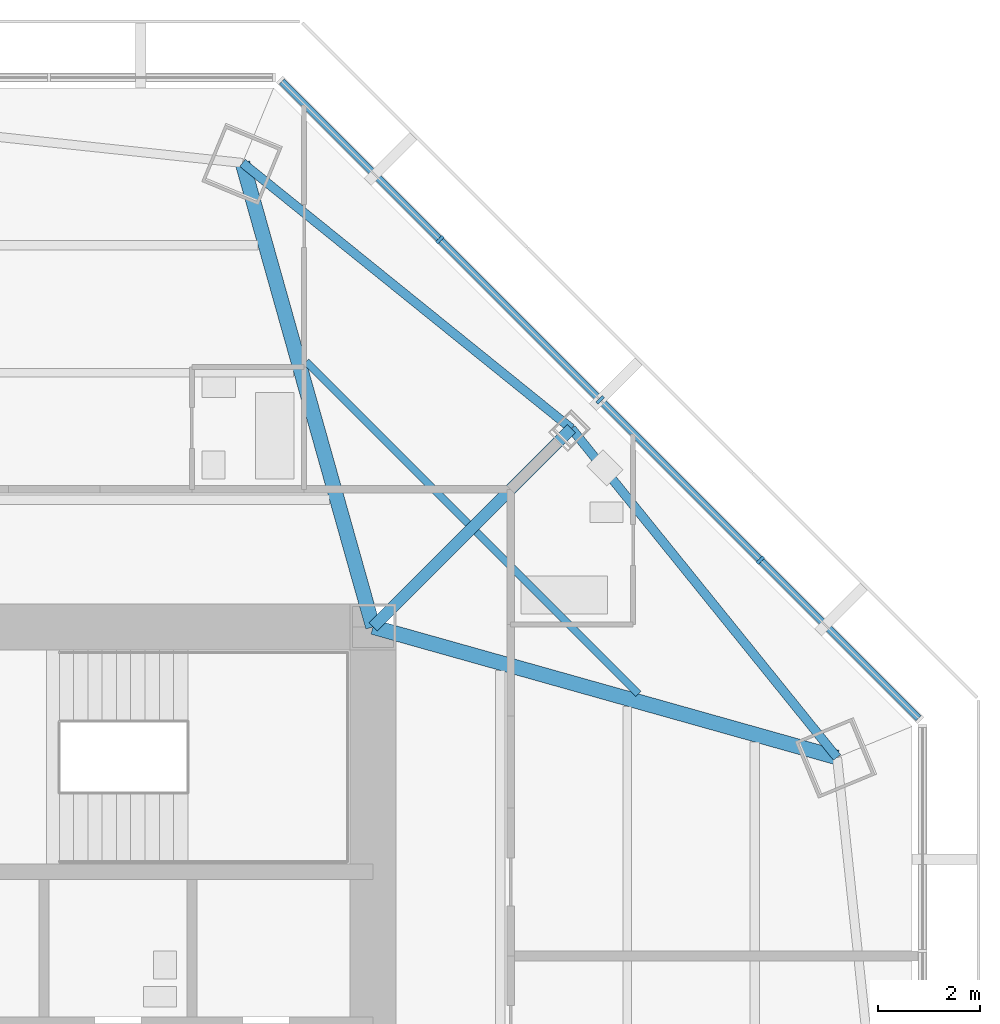
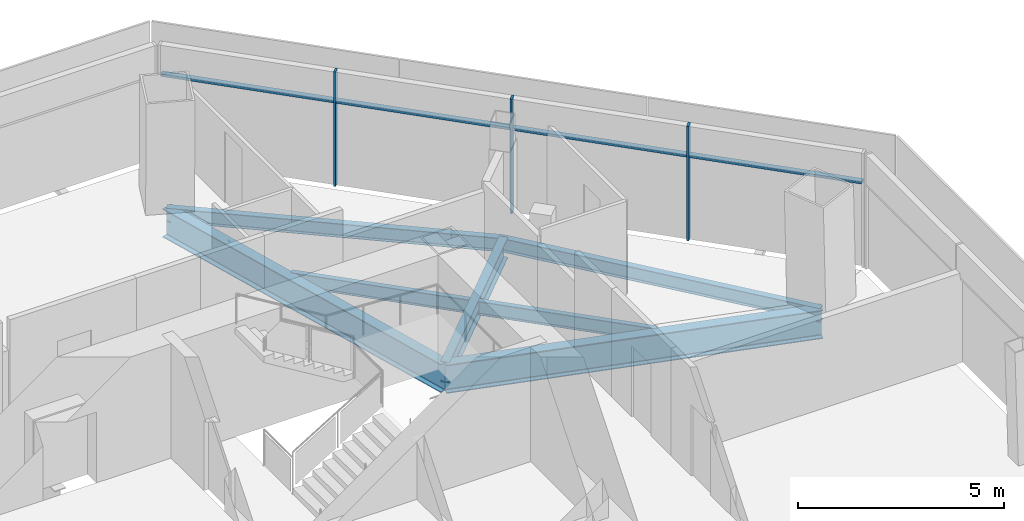
# One storey, part 6 of 15: 7 beams, 7 members, 1 element without a shape of its own.
"""IFC4 building model written with IfcOpenShell, lengths in metres."""

from ifc_helpers import new_model, si_unit, direction, frame, origin, origin_2d, place, context, subcontext, project, spatial, rectangle, i_section, extrude, source, transform, mapped, material, material_profile, profile_set, type_object, type_shapes, element, aggregate, save


model = new_model("IFC4")

# Units and contexts
model_context = context("Model", 3, precision=1e-05, world=origin(), true_north=direction((0.0, 1.0)))
body_context = subcontext(model_context, "Body", "Model", "MODEL_VIEW")
ifc_project = project(units=[si_unit("LENGTHUNIT", "METRE"), si_unit("AREAUNIT", "SQUARE_METRE"), si_unit("VOLUMEUNIT", "CUBIC_METRE"), si_unit("PLANEANGLEUNIT", "RADIAN"), si_unit("MASSUNIT", "GRAM", prefix="KILO")], contexts=[model_context])

# Site, building, storey
site_placement = place(None, origin())
site = spatial("IfcSite", under=ifc_project, at=site_placement, CompositionType="ELEMENT")
building_placement = place(site_placement, origin())
building = spatial("IfcBuilding", under=site, at=building_placement, Name="Mashrafa Tower", CompositionType="ELEMENT")
storey_placement = place(building_placement, frame((0.0, 0.0, 227.800048828125)))
storey = spatial("IfcBuildingStorey", under=building, at=storey_placement, Name="L53", CompositionType="ELEMENT", Elevation=227.800048828125)

# Beams
ifc_material_1 = material(Name="Steel ASTM A992", Category="steel")
ifc_material_profile_1 = material_profile(ifc_material_1, i_section(OverallWidth=0.140380859375, OverallDepth=0.40380859375, WebThickness=0.007080078125, FlangeThickness=0.01123046875, FilletRadius=0.01025390625, at=origin_2d()), Name="W16X31")
ifc_profile_set_1 = profile_set([ifc_material_profile_1], Name="Steel ASTM A992")
beam_type_1 = type_object("IfcBeamType", Name="Beam W16X31", PredefinedType="BEAM", material=ifc_profile_set_1)
for number, where, z_axis, x_axis, name in (
    (1, (9.4892578125, 16.001708984375, -0.402099609375), (0.707106781187, -0.707106781187, 0.0), (0.707106781187, 0.707106781187, 0.0), "Floor beam L53 021"),
    (2, (12.826171875, 12.664794921875, -0.402099609375), (0.707106781187, -0.707106781187, 0.0), (0.707106781187, 0.707106781187, 0.0), "Floor beam L53 025"),
):
    element("IfcBeam", number, at=place(storey_placement, frame(where, z_axis=z_axis, x_axis=x_axis)), inside=storey, type_object=beam_type_1, Name=name, PredefinedType="BEAM", context=body_context, shape_type="SweptSolid", body=[
        extrude(i_section(OverallWidth=0.140380859375, OverallDepth=0.40380859375, WebThickness=0.007080078125, FlangeThickness=0.01123046875, FilletRadius=0.01025390625, at=origin_2d()), origin(), (0.0, 0.0, 1.0), 4.490966796875),
    ])
ifc_material_2 = material(Name="Steel ASTM A992", Category="steel")
ifc_material_profile_2 = material_profile(ifc_material_2, i_section(OverallWidth=0.177734375, OverallDepth=0.406494140625, WebThickness=0.0078125, FlangeThickness=0.012939453125, FilletRadius=0.01025390625, at=origin_2d()), Name="W16X40")
ifc_profile_set_2 = profile_set([ifc_material_profile_2], Name="Steel ASTM A992")
beam_type_2 = type_object("IfcBeamType", Name="Beam W16X40", PredefinedType="BEAM", material=ifc_profile_set_2)
for number, where, z_axis, x_axis, name in (
    (3, (14.69091796875, 14.69091796875, -0.4033203125), (-0.778044722398, 0.628208890377, 0.0), (-0.628208890377, -0.778044722398, 0.0), "Spandrel beam L53 061"),
    (4, (19.89794921875, 8.241943359375, -0.4033203125), (-0.628208890377, 0.778044722398, 0.0), (-0.778044722398, -0.628208890377, 0.0), "Spandrel beam L53 063"),
):
    element("IfcBeam", number, at=place(storey_placement, frame(where, z_axis=z_axis, x_axis=x_axis)), inside=storey, type_object=beam_type_2, Name=name, PredefinedType="BEAM", context=body_context, shape_type="SweptSolid", body=[
        extrude(i_section(OverallWidth=0.177734375, OverallDepth=0.406494140625, WebThickness=0.0078125, FlangeThickness=0.012939453125, FilletRadius=0.01025390625, at=origin_2d()), origin(), (0.0, 0.0, 1.0), 8.28857421875),
    ])
ifc_material_3 = material(Name="Steel ASTM A992", Category="steel")
ifc_material_profile_3 = material_profile(ifc_material_3, i_section(OverallWidth=0.228271484375, OverallDepth=0.607177734375, WebThickness=0.01123046875, FlangeThickness=0.017333984375, FilletRadius=0.0126953125, at=origin_2d()), Name="W24X76")
ifc_profile_set_3 = profile_set([ifc_material_profile_3], Name="Steel ASTM A992")
beam_type_3 = type_object("IfcBeamType", Name="Beam W24X76", PredefinedType="BEAM", material=ifc_profile_set_3)
beam_placement = place(storey_placement, frame((10.800048828125, 10.800048828125, -0.503662109375), z_axis=(0.707106781187, 0.707106781187, 0.0), x_axis=(-0.707106781187, 0.707106781187, 0.0)))
element("IfcBeam", 5, at=beam_placement, inside=storey, type_object=beam_type_3, Name="Radial girder L53 047", PredefinedType="BEAM", context=body_context, shape_type="SweptSolid", body=[
    extrude(i_section(OverallWidth=0.228271484375, OverallDepth=0.607177734375, WebThickness=0.01123046875, FlangeThickness=0.017333984375, FilletRadius=0.0126953125, at=origin_2d()), origin(), (0.0, 0.0, 1.0), 5.50244140625),
])
ifc_material_4 = material(Name="Steel ASTM A992", Category="steel")
ifc_material_profile_4 = material_profile(ifc_material_4, i_section(OverallWidth=0.2919921875, OverallDepth=0.845703125, WebThickness=0.015380859375, FlangeThickness=0.0244140625, FilletRadius=0.017333984375, at=origin_2d()), Name="W33X141")
ifc_profile_set_4 = profile_set([ifc_material_profile_4], Name="Steel ASTM A992")
beam_type_4 = type_object("IfcBeamType", Name="Beam W33X141", PredefinedType="BEAM", material=ifc_profile_set_4)
for number, where, z_axis, x_axis, name in (
    (6, (10.800048828125, 10.800048828125, -0.623046875), (-0.270678994726, 0.962669663911, 0.0), (-0.962669663911, -0.270678994726, 0.0), "Radial girder L53 046"),
    (7, (10.800048828125, 10.800048828125, -0.623046875), (0.962669663911, -0.270678994726, 0.0), (0.270678994726, 0.962669663911, 0.0), "Radial girder L53 048"),
):
    element("IfcBeam", number, at=place(storey_placement, frame(where, z_axis=z_axis, x_axis=x_axis)), inside=storey, type_object=beam_type_4, Name=name, PredefinedType="BEAM", context=body_context, shape_type="SweptSolid", body=[
        extrude(i_section(OverallWidth=0.2919921875, OverallDepth=0.845703125, WebThickness=0.015380859375, FlangeThickness=0.0244140625, FilletRadius=0.017333984375, at=origin_2d()), origin(), (0.0, 0.0, 1.0), 9.45068359375),
    ])

# Curtain wall, members
ifc_material_5 = material(Name="Unitised aluminium curtain wall", Category="aluminium")
curtain_wall_type = type_object("IfcCurtainWallType", Name="Apartment curtain wall, zone 3 CW-C 180 deep", PredefinedType="NOTDEFINED", material=ifc_material_5)
curtain_wall_placement = place(storey_placement, origin())
curtain_wall = element("IfcCurtainWall", 8, at=curtain_wall_placement, inside=storey, type_object=curtain_wall_type, Name="Apartment curtain wall, zone 3 L53 north-east", PredefinedType="NOTDEFINED")
ifc_material_6 = material(Name="Extruded aluminium mullion", Category="aluminium")
ifc_material_profile_5 = material_profile(ifc_material_6, rectangle(XDim=0.179931640625, YDim=0.06005859375, at=origin_2d()), Name="Mullion 60x180")
ifc_profile_set_5 = profile_set([ifc_material_profile_5], Name="Extruded aluminium mullion")
member_type_1 = type_object("IfcMemberType", Name="Mullion CW-C 60 x 180", PredefinedType="MULLION", material=ifc_profile_set_5)
shared_shape_1 = source(origin(), body_context, "Body", "SweptSolid", [
    extrude(rectangle(XDim=0.179931640625, YDim=0.06005859375, at=origin_2d()), origin(), (0.0, 0.0, 1.0), 3.39990234375),
])
type_shapes(member_type_1, [shared_shape_1])
member_1_placement = place(storey_placement, frame((18.39501953125, 12.110595703125, 0.0), z_axis=(0.0, 0.0, 1.0), x_axis=(-0.707106781187, -0.707106781187, 0.0)))
member_1 = element("IfcMember", 9, at=member_1_placement, type_object=member_type_1, Name="CW-C mullion 2", PredefinedType="MULLION", context=body_context, shape_type="MappedRepresentation", body=[
    mapped(shared_shape_1, transform((0.0, 0.0, 0.0))),
])
member_2_placement = place(storey_placement, frame((15.252685546875, 15.252685546875, 0.0), z_axis=(0.0, 0.0, 1.0), x_axis=(-0.707106781187, -0.707106781187, 0.0)))
member_2 = element("IfcMember", 10, at=member_2_placement, type_object=member_type_1, Name="CW-C mullion 3", PredefinedType="MULLION", context=body_context, shape_type="MappedRepresentation", body=[
    mapped(shared_shape_1, transform((0.0, 0.0, 0.0))),
])
member_3_placement = place(storey_placement, frame((12.110595703125, 18.39501953125, 0.0), z_axis=(0.0, 0.0, 1.0), x_axis=(-0.707106781187, -0.707106781187, 0.0)))
member_3 = element("IfcMember", 11, at=member_3_placement, type_object=member_type_1, Name="CW-C mullion 4", PredefinedType="MULLION", context=body_context, shape_type="MappedRepresentation", body=[
    mapped(shared_shape_1, transform((0.0, 0.0, 0.0))),
])
ifc_material_7 = material(Name="Extruded aluminium transom", Category="aluminium")
ifc_material_profile_6 = material_profile(ifc_material_7, rectangle(XDim=0.14404296875, YDim=0.074951171875, at=origin_2d()), Name="Transom 75x144")
ifc_profile_set_6 = profile_set([ifc_material_profile_6], Name="Extruded aluminium transom")
member_type_2 = type_object("IfcMemberType", Name="Transom CW-C 75 x 144", PredefinedType="MULLION", material=ifc_profile_set_6)
shared_shape_2 = source(origin(), body_context, "Body", "SweptSolid", [
    extrude(rectangle(XDim=0.14404296875, YDim=0.074951171875, at=origin_2d()), origin(), (0.0, 0.0, 1.0), 4.353759765625),
])
member_4_placement = place(storey_placement, frame((21.49462890625, 9.0107421875, 2.5), z_axis=(-0.707078741978, 0.707134819283, 0.0), x_axis=(-0.707134819283, -0.707078741978, 0.0)))
member_4 = element("IfcMember", 12, at=member_4_placement, type_object=member_type_2, Name="CW-C transom 1", PredefinedType="MULLION", context=body_context, shape_type="MappedRepresentation", body=[
    mapped(shared_shape_2, transform((0.0, 0.0, 0.0))),
])
member_5_placement = place(storey_placement, frame((12.08935546875, 18.416259765625, 2.5), z_axis=(-0.707134819283, 0.707078741978, 0.0), x_axis=(-0.707078741978, -0.707134819283, 0.0)))
member_5 = element("IfcMember", 13, at=member_5_placement, type_object=member_type_2, Name="CW-C transom 4", PredefinedType="MULLION", context=body_context, shape_type="MappedRepresentation", body=[
    mapped(shared_shape_2, transform((0.0, 0.0, 0.0))),
])
shared_shape_3 = source(origin(), body_context, "Body", "SweptSolid", [
    extrude(rectangle(XDim=0.14404296875, YDim=0.074951171875, at=origin_2d()), origin(), (0.0, 0.0, 1.0), 4.3837890625),
])
type_shapes(member_type_2, [shared_shape_2, shared_shape_3])
member_6_placement = place(storey_placement, frame((18.373779296875, 12.131591796875, 2.5), z_axis=(-0.707106781187, 0.707106781187, 0.0), x_axis=(-0.707106781187, -0.707106781187, 0.0)))
member_6 = element("IfcMember", 14, at=member_6_placement, type_object=member_type_2, Name="CW-C transom 2", PredefinedType="MULLION", context=body_context, shape_type="MappedRepresentation", body=[
    mapped(shared_shape_3, transform((0.0, 0.0, 0.0))),
])
member_7_placement = place(storey_placement, frame((15.2314453125, 15.27392578125, 2.5), z_axis=(-0.707106781187, 0.707106781187, 0.0), x_axis=(-0.707106781187, -0.707106781187, 0.0)))
member_7 = element("IfcMember", 15, at=member_7_placement, type_object=member_type_2, Name="CW-C transom 3", PredefinedType="MULLION", context=body_context, shape_type="MappedRepresentation", body=[
    mapped(shared_shape_3, transform((0.0, 0.0, 0.0))),
])
aggregate(curtain_wall, [member_1, member_2, member_3, member_4, member_6, member_7, member_5])

save(model, "model.ifc")
